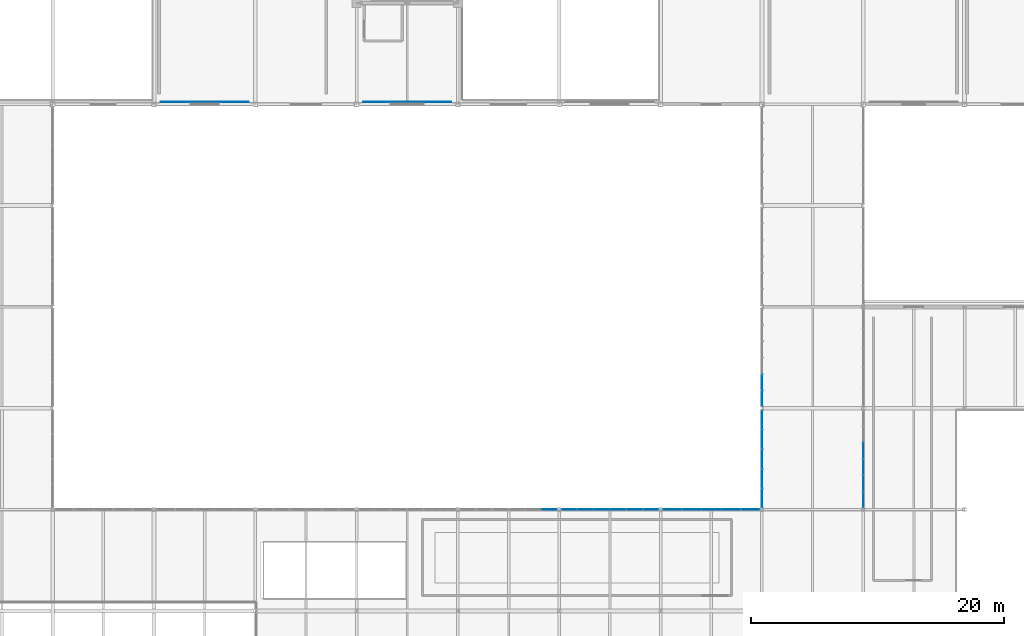
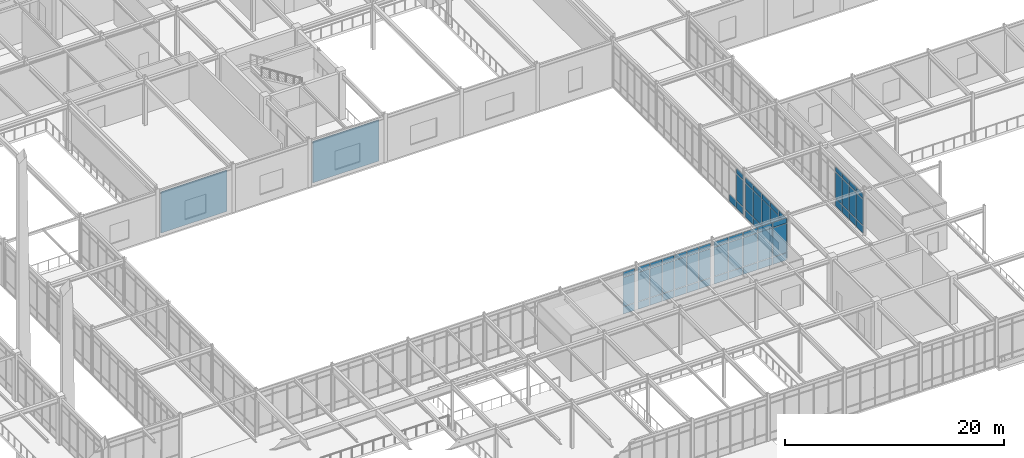
# One storey, part 93 of 184: 69 plates, 6 elements without a shape of their own.
"""IFC4 building model written with IfcOpenShell, lengths in metres."""

import ifcopenshell
import ifcopenshell.guid

model = None  # the IFC model being written
_history = None  # IfcOwnerHistory: only IFC2X3 demands one
_inside = {}  # id of a spatial element -> (the spatial element, [elements in it])
_under = {}  # id of a project, library or spatial element -> (it, [spatial elements below it])
_declared = {}  # id of a project -> (the project, [libraries it declares])
_typed = {}  # id of a type object -> (the type object, [elements of that type])
_made_of = {}  # id of a material, layer set ... -> (it, [elements and type objects made of it])


def new_model(schema):
    """Start an empty IFC model of exactly this schema.

    Asked for "IFC4X3", IfcOpenShell would pick the latest addendum, in which some entities
    have other attributes; the version numbers below select the first issue.
    IFC2X3 requires an IfcOwnerHistory on every rooted entity: one is made here for all.
    """
    global model, _history
    if schema == "IFC4X3":
        model = ifcopenshell.file(schema_version=(4, 3, 0, 0))
    else:
        model = ifcopenshell.file(schema=schema)
    _inside.clear()
    _under.clear()
    _declared.clear()
    _typed.clear()
    _made_of.clear()
    _history = None
    if model.schema == "IFC2X3":
        org = make("IfcOrganization", Name="unknown")
        user = make(
            "IfcPersonAndOrganization",
            ThePerson=make("IfcPerson", FamilyName="unknown"),
            TheOrganization=org,
        )
        app = make(
            "IfcApplication",
            ApplicationDeveloper=org,
            Version="unknown",
            ApplicationFullName="unknown",
            ApplicationIdentifier="unknown",
        )
        _history = make(
            "IfcOwnerHistory",
            OwningUser=user,
            OwningApplication=app,
            ChangeAction="ADDED",
            CreationDate=0,
        )
    return model


def make(cls, **values):
    """One entity of the class cls with the attributes given. An attribute that is None is left unset."""
    return model.create_entity(
        cls, **{name: value for name, value in values.items() if value is not None}
    )


def rooted(cls, **values):
    """An entity with a GlobalId (a new one), such as an element, a storey or a relation."""
    return make(cls, GlobalId=ifcopenshell.guid.new(), OwnerHistory=_history, **values)


def si_unit(unit_type, name, prefix=None):
    """IfcSIUnit, for example si_unit("LENGTHUNIT", "METRE", prefix="MILLI")."""
    return make("IfcSIUnit", UnitType=unit_type, Prefix=prefix, Name=name)


def assignment(units):
    """IfcUnitAssignment: the units of a project."""
    return None if units is None else make("IfcUnitAssignment", Units=units)


def point(xyz):
    """IfcCartesianPoint."""
    return None if xyz is None else make("IfcCartesianPoint", Coordinates=xyz)


def direction(xyz):
    """IfcDirection."""
    return None if xyz is None else make("IfcDirection", DirectionRatios=xyz)


def frame(location, z_axis=None, x_axis=None):
    """IfcAxis2Placement3D, a coordinate frame: its origin and axes. An axis left out is left unset."""
    return make(
        "IfcAxis2Placement3D",
        Location=point(location),
        Axis=direction(z_axis),
        RefDirection=direction(x_axis),
    )


def frame_2d(location, x_axis=None):
    """IfcAxis2Placement2D, a coordinate frame in the plane: its origin and x axis."""
    return make(
        "IfcAxis2Placement2D", Location=point(location), RefDirection=direction(x_axis)
    )


def origin():
    """The frame at (0, 0, 0) with its axes left unset."""
    return frame((0.0, 0.0, 0.0))


def origin_2d():
    """The frame at (0, 0) in the plane with its x axis left unset."""
    return frame_2d((0.0, 0.0))


def place(relative_to, where):
    """IfcLocalPlacement: puts the frame where relative to a parent placement (None: the world)."""
    return make(
        "IfcLocalPlacement", PlacementRelTo=relative_to, RelativePlacement=where
    )


def context(
    kind, dimensions, precision=None, world=None, true_north=None, identifier=None
):
    """IfcGeometricRepresentationContext, for example the 3D "Model" context."""
    return make(
        "IfcGeometricRepresentationContext",
        ContextIdentifier=identifier,
        ContextType=kind,
        CoordinateSpaceDimension=dimensions,
        Precision=precision,
        WorldCoordinateSystem=world,
        TrueNorth=true_north,
    )


def subcontext(parent, identifier, kind, view, scale=None):
    """IfcGeometricRepresentationSubContext, for example "Body" below "Model"."""
    return make(
        "IfcGeometricRepresentationSubContext",
        ContextIdentifier=identifier,
        ContextType=kind,
        ParentContext=parent,
        TargetScale=scale,
        TargetView=view,
    )


def project(units=None, contexts=None):
    """IfcProject with its units and contexts."""
    return rooted(
        "IfcProject",
        Name="project",
        RepresentationContexts=contexts,
        UnitsInContext=assignment(units),
    )


def spatial(cls, under=None, at=None, **own):
    """A site, building, storey or space (cls), placed at a placement, below another one or the project."""
    s = rooted(cls, ObjectPlacement=at, **own)
    if under is not None:
        _under.setdefault(under.id(), (under, []))[1].append(s)
    return s


def profile(cls, at=None, kind="AREA", **sizes):
    """A parametric profile (cls). Its sizes go by their IFC names, for example OverallWidth=200.0."""
    return make(cls, ProfileType=kind, Position=at, **sizes)


def rectangle(**sizes):
    """IfcRectangleProfileDef."""
    return profile("IfcRectangleProfileDef", **sizes)


def extrude(swept, where, along, depth):
    """IfcExtrudedAreaSolid: the profile swept, set in the frame where, extruded along a direction by depth."""
    return make(
        "IfcExtrudedAreaSolid",
        SweptArea=swept,
        Position=where,
        ExtrudedDirection=direction(along),
        Depth=depth,
    )


def shape(context_of_items, identifier, shape_type, items):
    """IfcShapeRepresentation: the items that make up one representation, for example the "Body"."""
    return make(
        "IfcShapeRepresentation",
        ContextOfItems=context_of_items,
        RepresentationIdentifier=identifier,
        RepresentationType=shape_type,
        Items=items,
    )


def material(Name=None, Category=None):
    """IfcMaterial."""
    return make("IfcMaterial", Name=Name, Category=Category)


def layer(
    of_material, thickness, ventilated=None, Name=None, Category=None, Priority=None
):
    """IfcMaterialLayer: one layer of a wall or slab, of a material (None: an air gap)."""
    return make(
        "IfcMaterialLayer",
        Material=of_material,
        LayerThickness=thickness,
        IsVentilated=ventilated,
        Name=Name,
        Category=Category,
        Priority=Priority,
    )


def layer_set(layers, Name=None):
    """IfcMaterialLayerSet."""
    return make("IfcMaterialLayerSet", MaterialLayers=layers, LayerSetName=Name)


def made_of(thing, what):
    """Note that an element or type object is made of a material, layer set ...; save() writes the relation."""
    if what is not None:
        _made_of.setdefault(what.id(), (what, []))[1].append(thing)
    return thing


def type_object(cls, material=None, **own):
    """A type object (cls), such as IfcWallType, which elements share."""
    return made_of(rooted(cls, **own), material)


def element(
    cls,
    number,
    at=None,
    inside=None,
    cuts=None,
    type_object=None,
    material=None,
    context=None,
    identifier="Body",
    shape_type=None,
    held_by="IfcProductDefinitionShape",
    body=None,
    shapes=None,
    **own,
):
    """One element of the class cls, such as IfcWall. Its Tag is "e" and its number.

    at: its placement. inside: the storey or other place that contains it. cuts: it is an
    opening in that element (IfcRelVoidsElement). A single representation is given by context,
    identifier, shape_type and body (its items); several are given by shapes. held_by: the class
    of the entity that holds the representations. save() writes the other relations.
    """
    e = rooted(cls, Tag="e%d" % number, ObjectPlacement=at, **own)
    if body is not None:
        shapes = [shape(context, identifier, shape_type, body)]
    if shapes is not None:
        e.Representation = make(held_by, Representations=shapes)
    if inside is not None:
        _inside.setdefault(inside.id(), (inside, []))[1].append(e)
    if cuts is not None:
        rooted(
            "IfcRelVoidsElement", RelatingBuildingElement=cuts, RelatedOpeningElement=e
        )
    if type_object is not None:
        _typed.setdefault(type_object.id(), (type_object, []))[1].append(e)
    return made_of(e, material)


def aggregate(whole, parts):
    """IfcRelAggregates: a whole, such as a stair, and the parts it consists of."""
    return rooted("IfcRelAggregates", RelatingObject=whole, RelatedObjects=parts)


def save(model, path):
    """Write the relations noted so far, then the file.

    IfcRelAggregates (storeys below a building ...), IfcRelContainedInSpatialStructure (elements
    in a storey), IfcRelDefinesByType, IfcRelAssociatesMaterial and IfcRelDeclares: one each for
    every whole, place, type object, material and project.
    """
    for whole, parts in _under.values():
        aggregate(whole, parts)
    for where, things in _inside.values():
        rooted(
            "IfcRelContainedInSpatialStructure",
            RelatedElements=things,
            RelatingStructure=where,
        )
    for kind, things in _typed.values():
        rooted("IfcRelDefinesByType", RelatedObjects=things, RelatingType=kind)
    for what, things in _made_of.values():
        rooted("IfcRelAssociatesMaterial", RelatedObjects=things, RelatingMaterial=what)
    for by, libraries in _declared.values():
        rooted("IfcRelDeclares", RelatingContext=by, RelatedDefinitions=libraries)
    model.write(path)


model = new_model("IFC4")

# Units and contexts
model_context = context("Model", 3, precision=1e-05, world=origin(), true_north=direction((0.0, 1.0)))
body_context = subcontext(model_context, "Body", "Model", "MODEL_VIEW")
ifc_project = project(units=[si_unit("LENGTHUNIT", "METRE"), si_unit("AREAUNIT", "SQUARE_METRE"), si_unit("VOLUMEUNIT", "CUBIC_METRE"), si_unit("PLANEANGLEUNIT", "RADIAN"), si_unit("MASSUNIT", "GRAM", prefix="KILO")], contexts=[model_context])

# Site, building, storey
site_placement = place(None, origin())
site = spatial("IfcSite", under=ifc_project, at=site_placement, CompositionType="ELEMENT")
building_placement = place(site_placement, origin())
building = spatial("IfcBuilding", under=site, at=building_placement, Name="Zhaolan Boulevard Law Courts", CompositionType="ELEMENT")
storey_placement = place(building_placement, frame((0.0, 0.0, 5.39990234375)))
storey = spatial("IfcBuildingStorey", under=building, at=storey_placement, Name="L01", CompositionType="ELEMENT", Elevation=5.39990234375)

# Curtain wall, plates
ifc_material_1 = material(Name="Thermally broken aluminium and low-E glazing", Category="aluminium")
curtain_wall_type_1 = type_object("IfcCurtainWallType", Name="CURTAIN WALL M5", PredefinedType="USERDEFINED", material=ifc_material_1)
curtain_wall_1_placement = place(storey_placement, origin())
curtain_wall_1 = element("IfcCurtainWall", 1, at=curtain_wall_1_placement, inside=storey, type_object=curtain_wall_type_1, Name="Curtain Wall CW-L01-053", ObjectType="CURTAIN WALL", PredefinedType="USERDEFINED")
ifc_material_2 = material(Name="Acoustic laminated low-E glazing", Category="glass")
ifc_layer_1 = layer(ifc_material_2, 0.031982421875)
ifc_layer_set_1 = layer_set([ifc_layer_1])
plate_type_1 = type_object("IfcPlateType", Name="CWPANEL LOW E32", PredefinedType="CURTAIN_PANEL", material=ifc_layer_set_1)
plate_1_placement = place(storey_placement, frame((99.211181640625, 30.0, 0.06494140625), z_axis=(0.0, 0.0, 1.0), x_axis=(-1.0, 0.0, 0.0)))
plate_1 = element("IfcPlate", 2, at=plate_1_placement, type_object=plate_type_1, Name="CW-L01-053 panel 1.1", PredefinedType="CURTAIN_PANEL", context=body_context, shape_type="SweptSolid", body=[
    extrude(rectangle(XDim=1.193603515625, YDim=0.031982421875, at=origin_2d()), origin(), (0.0, 0.0, 1.0), 0.802490234375),
])
plate_2_placement = place(storey_placement, frame((99.211181640625, 30.0, 0.9326171875), z_axis=(0.0, 0.0, 1.0), x_axis=(-1.0, 0.0, 0.0)))
plate_2 = element("IfcPlate", 3, at=plate_2_placement, type_object=plate_type_1, Name="CW-L01-053 panel 1.2", PredefinedType="CURTAIN_PANEL", context=body_context, shape_type="SweptSolid", body=[
    extrude(rectangle(XDim=1.193603515625, YDim=0.031982421875, at=origin_2d()), origin(), (0.0, 0.0, 1.0), 3.2080078125),
])
plate_3_placement = place(storey_placement, frame((99.211181640625, 30.0, 4.20556640625), z_axis=(0.0, 0.0, 1.0), x_axis=(-1.0, 0.0, 0.0)))
plate_3 = element("IfcPlate", 4, at=plate_3_placement, type_object=plate_type_1, Name="CW-L01-053 panel 1.3", PredefinedType="CURTAIN_PANEL", context=body_context, shape_type="SweptSolid", body=[
    extrude(rectangle(XDim=1.193603515625, YDim=0.031982421875, at=origin_2d()), origin(), (0.0, 0.0, 1.0), 0.552490234375),
])
aggregate(curtain_wall_1, [plate_1, plate_2, plate_3])

ifc_material_3 = material(Name="Thermally broken aluminium and low-E glazing", Category="aluminium")
curtain_wall_type_2 = type_object("IfcCurtainWallType", Name="CURTAIN WALL M6", PredefinedType="USERDEFINED", material=ifc_material_3)
curtain_wall_2_placement = place(storey_placement, origin())
curtain_wall_2 = element("IfcCurtainWall", 5, at=curtain_wall_2_placement, inside=storey, type_object=curtain_wall_type_2, Name="Curtain Wall CW-L01-054", ObjectType="CURTAIN WALL", PredefinedType="USERDEFINED")
plate_4_placement = place(storey_placement, frame((107.211181640625, 30.0, 0.06494140625), z_axis=(0.0, 0.0, 1.0), x_axis=(-1.0, 0.0, 0.0)))
plate_4 = element("IfcPlate", 6, at=plate_4_placement, type_object=plate_type_1, Name="CW-L01-054 panel 1.1", PredefinedType="CURTAIN_PANEL", context=body_context, shape_type="SweptSolid", body=[
    extrude(rectangle(XDim=1.193603515625, YDim=0.031982421875, at=origin_2d()), origin(), (0.0, 0.0, 1.0), 0.802490234375),
])
plate_5_placement = place(storey_placement, frame((107.211181640625, 30.0, 0.9326171875), z_axis=(0.0, 0.0, 1.0), x_axis=(-1.0, 0.0, 0.0)))
plate_5 = element("IfcPlate", 7, at=plate_5_placement, type_object=plate_type_1, Name="CW-L01-054 panel 1.2", PredefinedType="CURTAIN_PANEL", context=body_context, shape_type="SweptSolid", body=[
    extrude(rectangle(XDim=1.193603515625, YDim=0.031982421875, at=origin_2d()), origin(), (0.0, 0.0, 1.0), 3.2080078125),
])
plate_6_placement = place(storey_placement, frame((107.211181640625, 30.0, 4.20556640625), z_axis=(0.0, 0.0, 1.0), x_axis=(-1.0, 0.0, 0.0)))
plate_6 = element("IfcPlate", 8, at=plate_6_placement, type_object=plate_type_1, Name="CW-L01-054 panel 1.3", PredefinedType="CURTAIN_PANEL", context=body_context, shape_type="SweptSolid", body=[
    extrude(rectangle(XDim=1.193603515625, YDim=0.031982421875, at=origin_2d()), origin(), (0.0, 0.0, 1.0), 0.552490234375),
])
plate_7_placement = place(storey_placement, frame((105.9365234375, 30.0, 0.06494140625), z_axis=(0.0, 0.0, 1.0), x_axis=(-1.0, 0.0, 0.0)))
plate_7 = element("IfcPlate", 9, at=plate_7_placement, type_object=plate_type_1, Name="CW-L01-054 panel 2.1", PredefinedType="CURTAIN_PANEL", context=body_context, shape_type="SweptSolid", body=[
    extrude(rectangle(XDim=1.22607421875, YDim=0.031982421875, at=origin_2d()), origin(), (0.0, 0.0, 1.0), 0.802490234375),
])
plate_8_placement = place(storey_placement, frame((105.9365234375, 30.0, 0.9326171875), z_axis=(0.0, 0.0, 1.0), x_axis=(-1.0, 0.0, 0.0)))
plate_8 = element("IfcPlate", 10, at=plate_8_placement, type_object=plate_type_1, Name="CW-L01-054 panel 2.2", PredefinedType="CURTAIN_PANEL", context=body_context, shape_type="SweptSolid", body=[
    extrude(rectangle(XDim=1.22607421875, YDim=0.031982421875, at=origin_2d()), origin(), (0.0, 0.0, 1.0), 3.2080078125),
])
plate_9_placement = place(storey_placement, frame((105.9365234375, 30.0, 4.20556640625), z_axis=(0.0, 0.0, 1.0), x_axis=(-1.0, 0.0, 0.0)))
plate_9 = element("IfcPlate", 11, at=plate_9_placement, type_object=plate_type_1, Name="CW-L01-054 panel 2.3", PredefinedType="CURTAIN_PANEL", context=body_context, shape_type="SweptSolid", body=[
    extrude(rectangle(XDim=1.22607421875, YDim=0.031982421875, at=origin_2d()), origin(), (0.0, 0.0, 1.0), 0.552490234375),
])
plate_10_placement = place(storey_placement, frame((104.6455078125, 30.0, 0.06494140625), z_axis=(0.0, 0.0, 1.0), x_axis=(-1.0, 0.0, 0.0)))
plate_10 = element("IfcPlate", 12, at=plate_10_placement, type_object=plate_type_1, Name="CW-L01-054 panel 3.1", PredefinedType="CURTAIN_PANEL", context=body_context, shape_type="SweptSolid", body=[
    extrude(rectangle(XDim=1.22607421875, YDim=0.031982421875, at=origin_2d()), origin(), (0.0, 0.0, 1.0), 0.802490234375),
])
plate_11_placement = place(storey_placement, frame((104.6455078125, 30.0, 0.9326171875), z_axis=(0.0, 0.0, 1.0), x_axis=(-1.0, 0.0, 0.0)))
plate_11 = element("IfcPlate", 13, at=plate_11_placement, type_object=plate_type_1, Name="CW-L01-054 panel 3.2", PredefinedType="CURTAIN_PANEL", context=body_context, shape_type="SweptSolid", body=[
    extrude(rectangle(XDim=1.22607421875, YDim=0.031982421875, at=origin_2d()), origin(), (0.0, 0.0, 1.0), 3.2080078125),
])
plate_12_placement = place(storey_placement, frame((104.6455078125, 30.0, 4.20556640625), z_axis=(0.0, 0.0, 1.0), x_axis=(-1.0, 0.0, 0.0)))
plate_12 = element("IfcPlate", 14, at=plate_12_placement, type_object=plate_type_1, Name="CW-L01-054 panel 3.3", PredefinedType="CURTAIN_PANEL", context=body_context, shape_type="SweptSolid", body=[
    extrude(rectangle(XDim=1.22607421875, YDim=0.031982421875, at=origin_2d()), origin(), (0.0, 0.0, 1.0), 0.552490234375),
])
plate_13_placement = place(storey_placement, frame((103.3544921875, 30.0, 0.06494140625), z_axis=(0.0, 0.0, 1.0), x_axis=(-1.0, 0.0, 0.0)))
plate_13 = element("IfcPlate", 15, at=plate_13_placement, type_object=plate_type_1, Name="CW-L01-054 panel 4.1", PredefinedType="CURTAIN_PANEL", context=body_context, shape_type="SweptSolid", body=[
    extrude(rectangle(XDim=1.22607421875, YDim=0.031982421875, at=origin_2d()), origin(), (0.0, 0.0, 1.0), 0.802490234375),
])
plate_14_placement = place(storey_placement, frame((103.3544921875, 30.0, 0.9326171875), z_axis=(0.0, 0.0, 1.0), x_axis=(-1.0, 0.0, 0.0)))
plate_14 = element("IfcPlate", 16, at=plate_14_placement, type_object=plate_type_1, Name="CW-L01-054 panel 4.2", PredefinedType="CURTAIN_PANEL", context=body_context, shape_type="SweptSolid", body=[
    extrude(rectangle(XDim=1.22607421875, YDim=0.031982421875, at=origin_2d()), origin(), (0.0, 0.0, 1.0), 3.2080078125),
])
plate_15_placement = place(storey_placement, frame((103.3544921875, 30.0, 4.20556640625), z_axis=(0.0, 0.0, 1.0), x_axis=(-1.0, 0.0, 0.0)))
plate_15 = element("IfcPlate", 17, at=plate_15_placement, type_object=plate_type_1, Name="CW-L01-054 panel 4.3", PredefinedType="CURTAIN_PANEL", context=body_context, shape_type="SweptSolid", body=[
    extrude(rectangle(XDim=1.22607421875, YDim=0.031982421875, at=origin_2d()), origin(), (0.0, 0.0, 1.0), 0.552490234375),
])
plate_16_placement = place(storey_placement, frame((102.0634765625, 30.0, 0.06494140625), z_axis=(0.0, 0.0, 1.0), x_axis=(-1.0, 0.0, 0.0)))
plate_16 = element("IfcPlate", 18, at=plate_16_placement, type_object=plate_type_1, Name="CW-L01-054 panel 5.1", PredefinedType="CURTAIN_PANEL", context=body_context, shape_type="SweptSolid", body=[
    extrude(rectangle(XDim=1.22607421875, YDim=0.031982421875, at=origin_2d()), origin(), (0.0, 0.0, 1.0), 0.802490234375),
])
plate_17_placement = place(storey_placement, frame((102.0634765625, 30.0, 0.9326171875), z_axis=(0.0, 0.0, 1.0), x_axis=(-1.0, 0.0, 0.0)))
plate_17 = element("IfcPlate", 19, at=plate_17_placement, type_object=plate_type_1, Name="CW-L01-054 panel 5.2", PredefinedType="CURTAIN_PANEL", context=body_context, shape_type="SweptSolid", body=[
    extrude(rectangle(XDim=1.22607421875, YDim=0.031982421875, at=origin_2d()), origin(), (0.0, 0.0, 1.0), 3.2080078125),
])
plate_18_placement = place(storey_placement, frame((102.0634765625, 30.0, 4.20556640625), z_axis=(0.0, 0.0, 1.0), x_axis=(-1.0, 0.0, 0.0)))
plate_18 = element("IfcPlate", 20, at=plate_18_placement, type_object=plate_type_1, Name="CW-L01-054 panel 5.3", PredefinedType="CURTAIN_PANEL", context=body_context, shape_type="SweptSolid", body=[
    extrude(rectangle(XDim=1.22607421875, YDim=0.031982421875, at=origin_2d()), origin(), (0.0, 0.0, 1.0), 0.552490234375),
])
plate_19_placement = place(storey_placement, frame((100.788818359375, 30.0, 0.06494140625), z_axis=(0.0, 0.0, 1.0), x_axis=(-1.0, 0.0, 0.0)))
plate_19 = element("IfcPlate", 21, at=plate_19_placement, type_object=plate_type_1, Name="CW-L01-054 panel 6.1", PredefinedType="CURTAIN_PANEL", context=body_context, shape_type="SweptSolid", body=[
    extrude(rectangle(XDim=1.193603515625, YDim=0.031982421875, at=origin_2d()), origin(), (0.0, 0.0, 1.0), 0.802490234375),
])
plate_20_placement = place(storey_placement, frame((100.788818359375, 30.0, 0.9326171875), z_axis=(0.0, 0.0, 1.0), x_axis=(-1.0, 0.0, 0.0)))
plate_20 = element("IfcPlate", 22, at=plate_20_placement, type_object=plate_type_1, Name="CW-L01-054 panel 6.2", PredefinedType="CURTAIN_PANEL", context=body_context, shape_type="SweptSolid", body=[
    extrude(rectangle(XDim=1.193603515625, YDim=0.031982421875, at=origin_2d()), origin(), (0.0, 0.0, 1.0), 3.2080078125),
])
plate_21_placement = place(storey_placement, frame((100.788818359375, 30.0, 4.20556640625), z_axis=(0.0, 0.0, 1.0), x_axis=(-1.0, 0.0, 0.0)))
plate_21 = element("IfcPlate", 23, at=plate_21_placement, type_object=plate_type_1, Name="CW-L01-054 panel 6.3", PredefinedType="CURTAIN_PANEL", context=body_context, shape_type="SweptSolid", body=[
    extrude(rectangle(XDim=1.193603515625, YDim=0.031982421875, at=origin_2d()), origin(), (0.0, 0.0, 1.0), 0.552490234375),
])
aggregate(curtain_wall_2, [plate_4, plate_5, plate_6, plate_7, plate_8, plate_9, plate_10, plate_11, plate_12, plate_13, plate_14, plate_15, plate_16, plate_17, plate_18, plate_19, plate_20, plate_21])

ifc_material_4 = material(Name="Thermally broken aluminium and low-E glazing", Category="aluminium")
curtain_wall_type_3 = type_object("IfcCurtainWallType", Name="CURTAIN WALL M7", PredefinedType="USERDEFINED", material=ifc_material_4)
curtain_wall_3_placement = place(storey_placement, origin())
curtain_wall_3 = element("IfcCurtainWall", 24, at=curtain_wall_3_placement, inside=storey, type_object=curtain_wall_type_3, Name="Curtain Wall CW-L01-055", ObjectType="CURTAIN WALL", PredefinedType="USERDEFINED")
plate_22_placement = place(storey_placement, frame((115.08203125, 30.0, 0.06494140625), z_axis=(0.0, 0.0, 1.0), x_axis=(-1.0, 0.0, 0.0)))
plate_22 = element("IfcPlate", 25, at=plate_22_placement, type_object=plate_type_1, Name="CW-L01-055 panel 1.1", PredefinedType="CURTAIN_PANEL", context=body_context, shape_type="SweptSolid", body=[
    extrude(rectangle(XDim=1.45166015625, YDim=0.031982421875, at=origin_2d()), origin(), (0.0, 0.0, 1.0), 0.802490234375),
])
plate_23_placement = place(storey_placement, frame((115.08203125, 30.0, 0.9326171875), z_axis=(0.0, 0.0, 1.0), x_axis=(-1.0, 0.0, 0.0)))
plate_23 = element("IfcPlate", 26, at=plate_23_placement, type_object=plate_type_1, Name="CW-L01-055 panel 1.2", PredefinedType="CURTAIN_PANEL", context=body_context, shape_type="SweptSolid", body=[
    extrude(rectangle(XDim=1.45166015625, YDim=0.031982421875, at=origin_2d()), origin(), (0.0, 0.0, 1.0), 3.2080078125),
])
plate_24_placement = place(storey_placement, frame((115.08203125, 30.0, 4.20556640625), z_axis=(0.0, 0.0, 1.0), x_axis=(-1.0, 0.0, 0.0)))
plate_24 = element("IfcPlate", 27, at=plate_24_placement, type_object=plate_type_1, Name="CW-L01-055 panel 1.3", PredefinedType="CURTAIN_PANEL", context=body_context, shape_type="SweptSolid", body=[
    extrude(rectangle(XDim=1.45166015625, YDim=0.031982421875, at=origin_2d()), origin(), (0.0, 0.0, 1.0), 0.552490234375),
])
plate_25_placement = place(storey_placement, frame((113.54931640625, 30.0, 0.06494140625), z_axis=(0.0, 0.0, 1.0), x_axis=(-1.0, 0.0, 0.0)))
plate_25 = element("IfcPlate", 28, at=plate_25_placement, type_object=plate_type_1, Name="CW-L01-055 panel 2.1", PredefinedType="CURTAIN_PANEL", context=body_context, shape_type="SweptSolid", body=[
    extrude(rectangle(XDim=1.484130859375, YDim=0.031982421875, at=origin_2d()), origin(), (0.0, 0.0, 1.0), 0.802490234375),
])
plate_26_placement = place(storey_placement, frame((113.54931640625, 30.0, 0.9326171875), z_axis=(0.0, 0.0, 1.0), x_axis=(-1.0, 0.0, 0.0)))
plate_26 = element("IfcPlate", 29, at=plate_26_placement, type_object=plate_type_1, Name="CW-L01-055 panel 2.2", PredefinedType="CURTAIN_PANEL", context=body_context, shape_type="SweptSolid", body=[
    extrude(rectangle(XDim=1.484130859375, YDim=0.031982421875, at=origin_2d()), origin(), (0.0, 0.0, 1.0), 3.2080078125),
])
plate_27_placement = place(storey_placement, frame((113.54931640625, 30.0, 4.20556640625), z_axis=(0.0, 0.0, 1.0), x_axis=(-1.0, 0.0, 0.0)))
plate_27 = element("IfcPlate", 30, at=plate_27_placement, type_object=plate_type_1, Name="CW-L01-055 panel 2.3", PredefinedType="CURTAIN_PANEL", context=body_context, shape_type="SweptSolid", body=[
    extrude(rectangle(XDim=1.484130859375, YDim=0.031982421875, at=origin_2d()), origin(), (0.0, 0.0, 1.0), 0.552490234375),
])
plate_28_placement = place(storey_placement, frame((112.0, 30.0, 0.06494140625), z_axis=(0.0, 0.0, 1.0), x_axis=(-1.0, 0.0, 0.0)))
plate_28 = element("IfcPlate", 31, at=plate_28_placement, type_object=plate_type_1, Name="CW-L01-055 panel 3.1", PredefinedType="CURTAIN_PANEL", context=body_context, shape_type="SweptSolid", body=[
    extrude(rectangle(XDim=1.484130859375, YDim=0.031982421875, at=origin_2d()), origin(), (0.0, 0.0, 1.0), 0.802490234375),
])
plate_29_placement = place(storey_placement, frame((112.0, 30.0, 0.9326171875), z_axis=(0.0, 0.0, 1.0), x_axis=(-1.0, 0.0, 0.0)))
plate_29 = element("IfcPlate", 32, at=plate_29_placement, type_object=plate_type_1, Name="CW-L01-055 panel 3.2", PredefinedType="CURTAIN_PANEL", context=body_context, shape_type="SweptSolid", body=[
    extrude(rectangle(XDim=1.484130859375, YDim=0.031982421875, at=origin_2d()), origin(), (0.0, 0.0, 1.0), 3.2080078125),
])
plate_30_placement = place(storey_placement, frame((112.0, 30.0, 4.20556640625), z_axis=(0.0, 0.0, 1.0), x_axis=(-1.0, 0.0, 0.0)))
plate_30 = element("IfcPlate", 33, at=plate_30_placement, type_object=plate_type_1, Name="CW-L01-055 panel 3.3", PredefinedType="CURTAIN_PANEL", context=body_context, shape_type="SweptSolid", body=[
    extrude(rectangle(XDim=1.484130859375, YDim=0.031982421875, at=origin_2d()), origin(), (0.0, 0.0, 1.0), 0.552490234375),
])
plate_31_placement = place(storey_placement, frame((110.45068359375, 30.0, 0.06494140625), z_axis=(0.0, 0.0, 1.0), x_axis=(-1.0, 0.0, 0.0)))
plate_31 = element("IfcPlate", 34, at=plate_31_placement, type_object=plate_type_1, Name="CW-L01-055 panel 4.1", PredefinedType="CURTAIN_PANEL", context=body_context, shape_type="SweptSolid", body=[
    extrude(rectangle(XDim=1.484130859375, YDim=0.031982421875, at=origin_2d()), origin(), (0.0, 0.0, 1.0), 0.802490234375),
])
plate_32_placement = place(storey_placement, frame((110.45068359375, 30.0, 0.9326171875), z_axis=(0.0, 0.0, 1.0), x_axis=(-1.0, 0.0, 0.0)))
plate_32 = element("IfcPlate", 35, at=plate_32_placement, type_object=plate_type_1, Name="CW-L01-055 panel 4.2", PredefinedType="CURTAIN_PANEL", context=body_context, shape_type="SweptSolid", body=[
    extrude(rectangle(XDim=1.484130859375, YDim=0.031982421875, at=origin_2d()), origin(), (0.0, 0.0, 1.0), 3.2080078125),
])
plate_33_placement = place(storey_placement, frame((110.45068359375, 30.0, 4.20556640625), z_axis=(0.0, 0.0, 1.0), x_axis=(-1.0, 0.0, 0.0)))
plate_33 = element("IfcPlate", 36, at=plate_33_placement, type_object=plate_type_1, Name="CW-L01-055 panel 4.3", PredefinedType="CURTAIN_PANEL", context=body_context, shape_type="SweptSolid", body=[
    extrude(rectangle(XDim=1.484130859375, YDim=0.031982421875, at=origin_2d()), origin(), (0.0, 0.0, 1.0), 0.552490234375),
])
plate_34_placement = place(storey_placement, frame((108.91796875, 30.0, 0.06494140625), z_axis=(0.0, 0.0, 1.0), x_axis=(-1.0, 0.0, 0.0)))
plate_34 = element("IfcPlate", 37, at=plate_34_placement, type_object=plate_type_1, Name="CW-L01-055 panel 5.1", PredefinedType="CURTAIN_PANEL", context=body_context, shape_type="SweptSolid", body=[
    extrude(rectangle(XDim=1.45166015625, YDim=0.031982421875, at=origin_2d()), origin(), (0.0, 0.0, 1.0), 0.802490234375),
])
plate_35_placement = place(storey_placement, frame((108.91796875, 30.0, 0.9326171875), z_axis=(0.0, 0.0, 1.0), x_axis=(-1.0, 0.0, 0.0)))
plate_35 = element("IfcPlate", 38, at=plate_35_placement, type_object=plate_type_1, Name="CW-L01-055 panel 5.2", PredefinedType="CURTAIN_PANEL", context=body_context, shape_type="SweptSolid", body=[
    extrude(rectangle(XDim=1.45166015625, YDim=0.031982421875, at=origin_2d()), origin(), (0.0, 0.0, 1.0), 3.2080078125),
])
plate_36_placement = place(storey_placement, frame((108.91796875, 30.0, 4.20556640625), z_axis=(0.0, 0.0, 1.0), x_axis=(-1.0, 0.0, 0.0)))
plate_36 = element("IfcPlate", 39, at=plate_36_placement, type_object=plate_type_1, Name="CW-L01-055 panel 5.3", PredefinedType="CURTAIN_PANEL", context=body_context, shape_type="SweptSolid", body=[
    extrude(rectangle(XDim=1.45166015625, YDim=0.031982421875, at=origin_2d()), origin(), (0.0, 0.0, 1.0), 0.552490234375),
])
aggregate(curtain_wall_3, [plate_22, plate_23, plate_24, plate_25, plate_26, plate_27, plate_28, plate_29, plate_30, plate_31, plate_32, plate_33, plate_34, plate_35, plate_36])

ifc_material_5 = material(Name="Thermally broken aluminium and low-E glazing", Category="aluminium")
curtain_wall_type_4 = type_object("IfcCurtainWallType", Name="CURTAIN WALL M2", PredefinedType="USERDEFINED", material=ifc_material_5)
curtain_wall_4_placement = place(storey_placement, origin())
curtain_wall_4 = element("IfcCurtainWall", 40, at=curtain_wall_4_placement, inside=storey, type_object=curtain_wall_type_4, Name="Curtain Wall CW-L01-074", ObjectType="CURTAIN WALL", PredefinedType="USERDEFINED")
plate_37_placement = place(storey_placement, frame((116.0, 37.08203125, 0.06494140625), z_axis=(0.0, 0.0, 1.0), x_axis=(0.0, -1.0, 0.0)))
plate_37 = element("IfcPlate", 41, at=plate_37_placement, type_object=plate_type_1, Name="CW-L01-074 panel 1.1", PredefinedType="CURTAIN_PANEL", context=body_context, shape_type="SweptSolid", body=[
    extrude(rectangle(XDim=1.45166015625, YDim=0.031982421875, at=origin_2d()), origin(), (0.0, 0.0, 1.0), 0.802490234375),
])
plate_38_placement = place(storey_placement, frame((116.0, 37.08203125, 0.9326171875), z_axis=(0.0, 0.0, 1.0), x_axis=(0.0, -1.0, 0.0)))
plate_38 = element("IfcPlate", 42, at=plate_38_placement, type_object=plate_type_1, Name="CW-L01-074 panel 1.2", PredefinedType="CURTAIN_PANEL", context=body_context, shape_type="SweptSolid", body=[
    extrude(rectangle(XDim=1.45166015625, YDim=0.031982421875, at=origin_2d()), origin(), (0.0, 0.0, 1.0), 2.93798828125),
])
plate_39_placement = place(storey_placement, frame((116.0, 37.08203125, 3.935546875), z_axis=(0.0, 0.0, 1.0), x_axis=(0.0, -1.0, 0.0)))
plate_39 = element("IfcPlate", 43, at=plate_39_placement, type_object=plate_type_1, Name="CW-L01-074 panel 1.3", PredefinedType="CURTAIN_PANEL", context=body_context, shape_type="SweptSolid", body=[
    extrude(rectangle(XDim=1.45166015625, YDim=0.031982421875, at=origin_2d()), origin(), (0.0, 0.0, 1.0), 0.552490234375),
])
plate_40_placement = place(storey_placement, frame((116.0, 35.54931640625, 0.06494140625), z_axis=(0.0, 0.0, 1.0), x_axis=(0.0, -1.0, 0.0)))
plate_40 = element("IfcPlate", 44, at=plate_40_placement, type_object=plate_type_1, Name="CW-L01-074 panel 2.1", PredefinedType="CURTAIN_PANEL", context=body_context, shape_type="SweptSolid", body=[
    extrude(rectangle(XDim=1.484130859375, YDim=0.031982421875, at=origin_2d()), origin(), (0.0, 0.0, 1.0), 0.802490234375),
])
plate_41_placement = place(storey_placement, frame((116.0, 35.54931640625, 0.9326171875), z_axis=(0.0, 0.0, 1.0), x_axis=(0.0, -1.0, 0.0)))
plate_41 = element("IfcPlate", 45, at=plate_41_placement, type_object=plate_type_1, Name="CW-L01-074 panel 2.2", PredefinedType="CURTAIN_PANEL", context=body_context, shape_type="SweptSolid", body=[
    extrude(rectangle(XDim=1.484130859375, YDim=0.031982421875, at=origin_2d()), origin(), (0.0, 0.0, 1.0), 2.93798828125),
])
plate_42_placement = place(storey_placement, frame((116.0, 35.54931640625, 3.935546875), z_axis=(0.0, 0.0, 1.0), x_axis=(0.0, -1.0, 0.0)))
plate_42 = element("IfcPlate", 46, at=plate_42_placement, type_object=plate_type_1, Name="CW-L01-074 panel 2.3", PredefinedType="CURTAIN_PANEL", context=body_context, shape_type="SweptSolid", body=[
    extrude(rectangle(XDim=1.484130859375, YDim=0.031982421875, at=origin_2d()), origin(), (0.0, 0.0, 1.0), 0.552490234375),
])
plate_43_placement = place(storey_placement, frame((116.0, 34.0, 0.06494140625), z_axis=(0.0, 0.0, 1.0), x_axis=(0.0, -1.0, 0.0)))
plate_43 = element("IfcPlate", 47, at=plate_43_placement, type_object=plate_type_1, Name="CW-L01-074 panel 3.1", PredefinedType="CURTAIN_PANEL", context=body_context, shape_type="SweptSolid", body=[
    extrude(rectangle(XDim=1.484130859375, YDim=0.031982421875, at=origin_2d()), origin(), (0.0, 0.0, 1.0), 0.802490234375),
])
plate_44_placement = place(storey_placement, frame((116.0, 34.0, 0.9326171875), z_axis=(0.0, 0.0, 1.0), x_axis=(0.0, -1.0, 0.0)))
plate_44 = element("IfcPlate", 48, at=plate_44_placement, type_object=plate_type_1, Name="CW-L01-074 panel 3.2", PredefinedType="CURTAIN_PANEL", context=body_context, shape_type="SweptSolid", body=[
    extrude(rectangle(XDim=1.484130859375, YDim=0.031982421875, at=origin_2d()), origin(), (0.0, 0.0, 1.0), 2.93798828125),
])
plate_45_placement = place(storey_placement, frame((116.0, 34.0, 3.935546875), z_axis=(0.0, 0.0, 1.0), x_axis=(0.0, -1.0, 0.0)))
plate_45 = element("IfcPlate", 49, at=plate_45_placement, type_object=plate_type_1, Name="CW-L01-074 panel 3.3", PredefinedType="CURTAIN_PANEL", context=body_context, shape_type="SweptSolid", body=[
    extrude(rectangle(XDim=1.484130859375, YDim=0.031982421875, at=origin_2d()), origin(), (0.0, 0.0, 1.0), 0.552490234375),
])
plate_46_placement = place(storey_placement, frame((116.0, 32.45068359375, 0.06494140625), z_axis=(0.0, 0.0, 1.0), x_axis=(0.0, -1.0, 0.0)))
plate_46 = element("IfcPlate", 50, at=plate_46_placement, type_object=plate_type_1, Name="CW-L01-074 panel 4.1", PredefinedType="CURTAIN_PANEL", context=body_context, shape_type="SweptSolid", body=[
    extrude(rectangle(XDim=1.484130859375, YDim=0.031982421875, at=origin_2d()), origin(), (0.0, 0.0, 1.0), 0.802490234375),
])
plate_47_placement = place(storey_placement, frame((116.0, 32.45068359375, 0.9326171875), z_axis=(0.0, 0.0, 1.0), x_axis=(0.0, -1.0, 0.0)))
plate_47 = element("IfcPlate", 51, at=plate_47_placement, type_object=plate_type_1, Name="CW-L01-074 panel 4.2", PredefinedType="CURTAIN_PANEL", context=body_context, shape_type="SweptSolid", body=[
    extrude(rectangle(XDim=1.484130859375, YDim=0.031982421875, at=origin_2d()), origin(), (0.0, 0.0, 1.0), 2.93798828125),
])
plate_48_placement = place(storey_placement, frame((116.0, 32.45068359375, 3.935546875), z_axis=(0.0, 0.0, 1.0), x_axis=(0.0, -1.0, 0.0)))
plate_48 = element("IfcPlate", 52, at=plate_48_placement, type_object=plate_type_1, Name="CW-L01-074 panel 4.3", PredefinedType="CURTAIN_PANEL", context=body_context, shape_type="SweptSolid", body=[
    extrude(rectangle(XDim=1.484130859375, YDim=0.031982421875, at=origin_2d()), origin(), (0.0, 0.0, 1.0), 0.552490234375),
])
plate_49_placement = place(storey_placement, frame((116.0, 30.91796875, 0.06494140625), z_axis=(0.0, 0.0, 1.0), x_axis=(0.0, -1.0, 0.0)))
plate_49 = element("IfcPlate", 53, at=plate_49_placement, type_object=plate_type_1, Name="CW-L01-074 panel 5.1", PredefinedType="CURTAIN_PANEL", context=body_context, shape_type="SweptSolid", body=[
    extrude(rectangle(XDim=1.45166015625, YDim=0.031982421875, at=origin_2d()), origin(), (0.0, 0.0, 1.0), 0.802490234375),
])
plate_50_placement = place(storey_placement, frame((116.0, 30.91796875, 0.9326171875), z_axis=(0.0, 0.0, 1.0), x_axis=(0.0, -1.0, 0.0)))
plate_50 = element("IfcPlate", 54, at=plate_50_placement, type_object=plate_type_1, Name="CW-L01-074 panel 5.2", PredefinedType="CURTAIN_PANEL", context=body_context, shape_type="SweptSolid", body=[
    extrude(rectangle(XDim=1.45166015625, YDim=0.031982421875, at=origin_2d()), origin(), (0.0, 0.0, 1.0), 2.93798828125),
])
plate_51_placement = place(storey_placement, frame((116.0, 30.91796875, 3.935546875), z_axis=(0.0, 0.0, 1.0), x_axis=(0.0, -1.0, 0.0)))
plate_51 = element("IfcPlate", 55, at=plate_51_placement, type_object=plate_type_1, Name="CW-L01-074 panel 5.3", PredefinedType="CURTAIN_PANEL", context=body_context, shape_type="SweptSolid", body=[
    extrude(rectangle(XDim=1.45166015625, YDim=0.031982421875, at=origin_2d()), origin(), (0.0, 0.0, 1.0), 0.552490234375),
])
aggregate(curtain_wall_4, [plate_37, plate_38, plate_39, plate_40, plate_41, plate_42, plate_43, plate_44, plate_45, plate_46, plate_47, plate_48, plate_49, plate_50, plate_51])

ifc_material_6 = material(Name="Thermally broken aluminium and low-E glazing", Category="aluminium")
curtain_wall_type_5 = type_object("IfcCurtainWallType", Name="CURTAIN WALL M3", PredefinedType="USERDEFINED", material=ifc_material_6)
curtain_wall_5_placement = place(storey_placement, origin())
curtain_wall_5 = element("IfcCurtainWall", 56, at=curtain_wall_5_placement, inside=storey, type_object=curtain_wall_type_5, Name="Curtain Wall CW-L01-075", ObjectType="CURTAIN WALL", PredefinedType="USERDEFINED")
plate_52_placement = place(storey_placement, frame((116.0, 40.0634765625, 0.06494140625), z_axis=(0.0, 0.0, 1.0), x_axis=(0.0, -1.0, 0.0)))
plate_52 = element("IfcPlate", 57, at=plate_52_placement, type_object=plate_type_1, Name="CW-L01-075 panel 5.1", PredefinedType="CURTAIN_PANEL", context=body_context, shape_type="SweptSolid", body=[
    extrude(rectangle(XDim=1.22607421875, YDim=0.031982421875, at=origin_2d()), origin(), (0.0, 0.0, 1.0), 0.802490234375),
])
plate_53_placement = place(storey_placement, frame((116.0, 38.788818359375, 0.06494140625), z_axis=(0.0, 0.0, 1.0), x_axis=(0.0, -1.0, 0.0)))
plate_53 = element("IfcPlate", 58, at=plate_53_placement, type_object=plate_type_1, Name="CW-L01-075 panel 6.1", PredefinedType="CURTAIN_PANEL", context=body_context, shape_type="SweptSolid", body=[
    extrude(rectangle(XDim=1.193603515625, YDim=0.031982421875, at=origin_2d()), origin(), (0.0, 0.0, 1.0), 0.802490234375),
])
plate_54_placement = place(storey_placement, frame((116.0, 38.788818359375, 0.9326171875), z_axis=(0.0, 0.0, 1.0), x_axis=(0.0, -1.0, 0.0)))
plate_54 = element("IfcPlate", 59, at=plate_54_placement, type_object=plate_type_1, Name="CW-L01-075 panel 6.2", PredefinedType="CURTAIN_PANEL", context=body_context, shape_type="SweptSolid", body=[
    extrude(rectangle(XDim=1.193603515625, YDim=0.031982421875, at=origin_2d()), origin(), (0.0, 0.0, 1.0), 2.93798828125),
])
plate_55_placement = place(storey_placement, frame((116.0, 38.788818359375, 3.935546875), z_axis=(0.0, 0.0, 1.0), x_axis=(0.0, -1.0, 0.0)))
plate_55 = element("IfcPlate", 60, at=plate_55_placement, type_object=plate_type_1, Name="CW-L01-075 panel 6.3", PredefinedType="CURTAIN_PANEL", context=body_context, shape_type="SweptSolid", body=[
    extrude(rectangle(XDim=1.193603515625, YDim=0.031982421875, at=origin_2d()), origin(), (0.0, 0.0, 1.0), 0.552490234375),
])
aggregate(curtain_wall_5, [plate_52, plate_53, plate_54, plate_55])

curtain_wall_6_placement = place(storey_placement, origin())
curtain_wall_6 = element("IfcCurtainWall", 61, at=curtain_wall_6_placement, inside=storey, type_object=curtain_wall_type_2, Name="Curtain Wall CW-L01-078", ObjectType="CURTAIN WALL", PredefinedType="USERDEFINED")
plate_56_placement = place(storey_placement, frame((124.0, 30.788818359375, 0.06494140625), z_axis=(0.0, 0.0, 1.0), x_axis=(0.0, 1.0, 0.0)))
plate_56 = element("IfcPlate", 62, at=plate_56_placement, type_object=plate_type_1, Name="CW-L01-078 panel 1.1", PredefinedType="CURTAIN_PANEL", context=body_context, shape_type="SweptSolid", body=[
    extrude(rectangle(XDim=1.193603515625, YDim=0.031982421875, at=origin_2d()), origin(), (0.0, 0.0, 1.0), 0.802490234375),
])
plate_57_placement = place(storey_placement, frame((124.0, 30.788818359375, 0.9326171875), z_axis=(0.0, 0.0, 1.0), x_axis=(0.0, 1.0, 0.0)))
plate_57 = element("IfcPlate", 63, at=plate_57_placement, type_object=plate_type_1, Name="CW-L01-078 panel 1.2", PredefinedType="CURTAIN_PANEL", context=body_context, shape_type="SweptSolid", body=[
    extrude(rectangle(XDim=1.193603515625, YDim=0.031982421875, at=origin_2d()), origin(), (0.0, 0.0, 1.0), 2.887939453125),
])
plate_58_placement = place(storey_placement, frame((124.0, 30.788818359375, 3.8857421875), z_axis=(0.0, 0.0, 1.0), x_axis=(0.0, 1.0, 0.0)))
plate_58 = element("IfcPlate", 64, at=plate_58_placement, type_object=plate_type_1, Name="CW-L01-078 panel 1.3", PredefinedType="CURTAIN_PANEL", context=body_context, shape_type="SweptSolid", body=[
    extrude(rectangle(XDim=1.193603515625, YDim=0.031982421875, at=origin_2d()), origin(), (0.0, 0.0, 1.0), 0.552490234375),
])
plate_59_placement = place(storey_placement, frame((124.0, 32.0634765625, 0.06494140625), z_axis=(0.0, 0.0, 1.0), x_axis=(0.0, 1.0, 0.0)))
plate_59 = element("IfcPlate", 65, at=plate_59_placement, type_object=plate_type_1, Name="CW-L01-078 panel 2.1", PredefinedType="CURTAIN_PANEL", context=body_context, shape_type="SweptSolid", body=[
    extrude(rectangle(XDim=1.22607421875, YDim=0.031982421875, at=origin_2d()), origin(), (0.0, 0.0, 1.0), 0.802490234375),
])
plate_60_placement = place(storey_placement, frame((124.0, 32.0634765625, 0.9326171875), z_axis=(0.0, 0.0, 1.0), x_axis=(0.0, 1.0, 0.0)))
plate_60 = element("IfcPlate", 66, at=plate_60_placement, type_object=plate_type_1, Name="CW-L01-078 panel 2.2", PredefinedType="CURTAIN_PANEL", context=body_context, shape_type="SweptSolid", body=[
    extrude(rectangle(XDim=1.22607421875, YDim=0.031982421875, at=origin_2d()), origin(), (0.0, 0.0, 1.0), 2.887939453125),
])
plate_61_placement = place(storey_placement, frame((124.0, 32.0634765625, 3.8857421875), z_axis=(0.0, 0.0, 1.0), x_axis=(0.0, 1.0, 0.0)))
plate_61 = element("IfcPlate", 67, at=plate_61_placement, type_object=plate_type_1, Name="CW-L01-078 panel 2.3", PredefinedType="CURTAIN_PANEL", context=body_context, shape_type="SweptSolid", body=[
    extrude(rectangle(XDim=1.22607421875, YDim=0.031982421875, at=origin_2d()), origin(), (0.0, 0.0, 1.0), 0.552490234375),
])
plate_62_placement = place(storey_placement, frame((124.0, 33.3544921875, 0.06494140625), z_axis=(0.0, 0.0, 1.0), x_axis=(0.0, 1.0, 0.0)))
plate_62 = element("IfcPlate", 68, at=plate_62_placement, type_object=plate_type_1, Name="CW-L01-078 panel 3.1", PredefinedType="CURTAIN_PANEL", context=body_context, shape_type="SweptSolid", body=[
    extrude(rectangle(XDim=1.22607421875, YDim=0.031982421875, at=origin_2d()), origin(), (0.0, 0.0, 1.0), 0.802490234375),
])
plate_63_placement = place(storey_placement, frame((124.0, 33.3544921875, 0.9326171875), z_axis=(0.0, 0.0, 1.0), x_axis=(0.0, 1.0, 0.0)))
plate_63 = element("IfcPlate", 69, at=plate_63_placement, type_object=plate_type_1, Name="CW-L01-078 panel 3.2", PredefinedType="CURTAIN_PANEL", context=body_context, shape_type="SweptSolid", body=[
    extrude(rectangle(XDim=1.22607421875, YDim=0.031982421875, at=origin_2d()), origin(), (0.0, 0.0, 1.0), 2.887939453125),
])
plate_64_placement = place(storey_placement, frame((124.0, 33.3544921875, 3.8857421875), z_axis=(0.0, 0.0, 1.0), x_axis=(0.0, 1.0, 0.0)))
plate_64 = element("IfcPlate", 70, at=plate_64_placement, type_object=plate_type_1, Name="CW-L01-078 panel 3.3", PredefinedType="CURTAIN_PANEL", context=body_context, shape_type="SweptSolid", body=[
    extrude(rectangle(XDim=1.22607421875, YDim=0.031982421875, at=origin_2d()), origin(), (0.0, 0.0, 1.0), 0.552490234375),
])
plate_65_placement = place(storey_placement, frame((124.0, 34.6455078125, 0.06494140625), z_axis=(0.0, 0.0, 1.0), x_axis=(0.0, 1.0, 0.0)))
plate_65 = element("IfcPlate", 71, at=plate_65_placement, type_object=plate_type_1, Name="CW-L01-078 panel 4.1", PredefinedType="CURTAIN_PANEL", context=body_context, shape_type="SweptSolid", body=[
    extrude(rectangle(XDim=1.22607421875, YDim=0.031982421875, at=origin_2d()), origin(), (0.0, 0.0, 1.0), 0.802490234375),
])
plate_66_placement = place(storey_placement, frame((124.0, 34.6455078125, 0.9326171875), z_axis=(0.0, 0.0, 1.0), x_axis=(0.0, 1.0, 0.0)))
plate_66 = element("IfcPlate", 72, at=plate_66_placement, type_object=plate_type_1, Name="CW-L01-078 panel 4.2", PredefinedType="CURTAIN_PANEL", context=body_context, shape_type="SweptSolid", body=[
    extrude(rectangle(XDim=1.22607421875, YDim=0.031982421875, at=origin_2d()), origin(), (0.0, 0.0, 1.0), 2.887939453125),
])
plate_67_placement = place(storey_placement, frame((124.0, 34.6455078125, 3.8857421875), z_axis=(0.0, 0.0, 1.0), x_axis=(0.0, 1.0, 0.0)))
plate_67 = element("IfcPlate", 73, at=plate_67_placement, type_object=plate_type_1, Name="CW-L01-078 panel 4.3", PredefinedType="CURTAIN_PANEL", context=body_context, shape_type="SweptSolid", body=[
    extrude(rectangle(XDim=1.22607421875, YDim=0.031982421875, at=origin_2d()), origin(), (0.0, 0.0, 1.0), 0.552490234375),
])
aggregate(curtain_wall_6, [plate_56, plate_57, plate_58, plate_59, plate_60, plate_61, plate_62, plate_63, plate_64, plate_65, plate_66, plate_67])

# Plates
ifc_material_7 = material(Name="Pale mist-grey standing-seam Al-Mg-Mn zinc-titanium")
ifc_layer_2 = layer(ifc_material_7, 0.050048828125)
ifc_layer_set_2 = layer_set([ifc_layer_2])
plate_type_2 = type_object("IfcPlateType", Name="STANDING SEAM PLATE 50", PredefinedType="SHEET", material=ifc_layer_set_2)
plate_68_placement = place(storey_placement, frame((72.0, 62.175048828125, 0.099609375), z_axis=(0.0, 0.0, 1.0), x_axis=(1.0, 0.0, 0.0)))
element("IfcPlate", 74, at=plate_68_placement, inside=storey, type_object=plate_type_2, Name="Standing-Seam Metal Wall Cladding SSP-L01-206", PredefinedType="SHEET", context=body_context, shape_type="SweptSolid", body=[
    extrude(rectangle(XDim=6.9599609375, YDim=0.050048828125, at=origin_2d()), origin(), (0.0, 0.0, 1.0), 4.60302734375),
])
ifc_material_8 = material(Name="Pale mist-grey standing-seam Al-Mg-Mn zinc-titanium")
ifc_layer_3 = layer(ifc_material_8, 0.06005859375)
ifc_layer_set_3 = layer_set([ifc_layer_3])
plate_type_3 = type_object("IfcPlateType", Name="STANDING SEAM PLATE 60", PredefinedType="SHEET", material=ifc_layer_set_3)
plate_69_placement = place(storey_placement, frame((88.0, 62.179931640625, 0.099609375), z_axis=(0.0, 0.0, 1.0), x_axis=(1.0, 0.0, 0.0)))
element("IfcPlate", 75, at=plate_69_placement, inside=storey, type_object=plate_type_3, Name="Standing-Seam Metal Wall Cladding SSP-L01-208", PredefinedType="SHEET", context=body_context, shape_type="SweptSolid", body=[
    extrude(rectangle(XDim=6.9599609375, YDim=0.06005859375, at=origin_2d()), origin(), (0.0, 0.0, 1.0), 4.60302734375),
])

save(model, "model.ifc")
